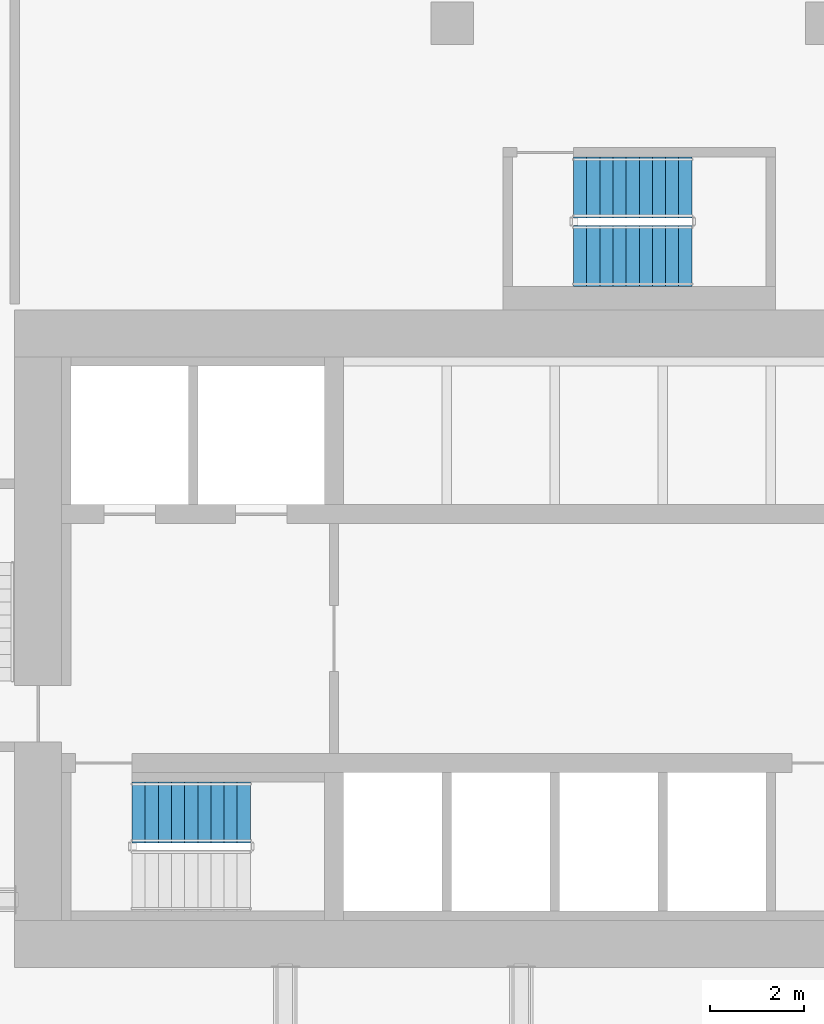
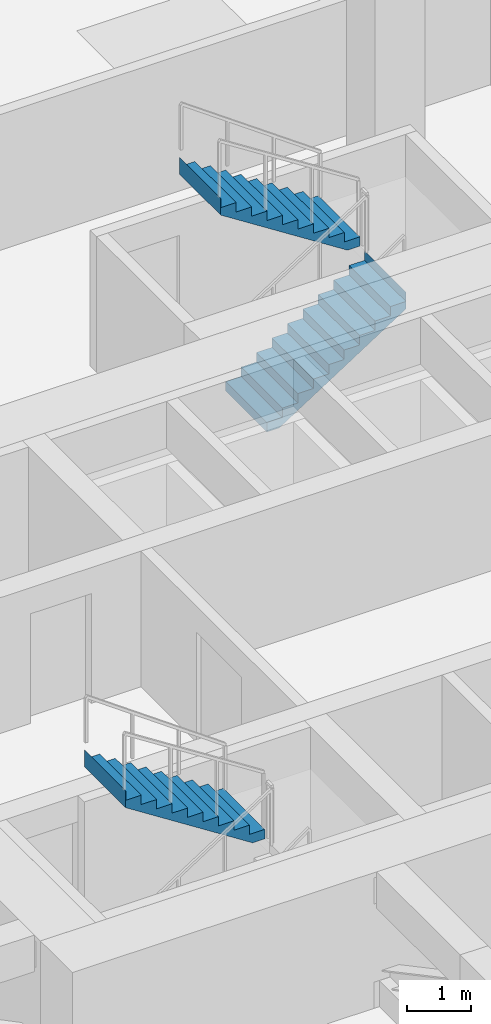
# One storey, part 18 of 23: 3 stair flights, 2 elements without a shape of their own.
"""IFC4 building model written with IfcOpenShell, lengths in metres."""

from ifc_helpers import new_model, si_unit, direction, frame, origin, place, context, subcontext, project, spatial, triangles, material, type_object, element, aggregate, save


model = new_model("IFC4")

# Units and contexts
model_context = context("Model", 3, precision=1e-05, world=origin(), true_north=direction((0.0, 1.0)))
body_context = subcontext(model_context, "Body", "Model", "MODEL_VIEW")
ifc_project = project(units=[si_unit("LENGTHUNIT", "METRE"), si_unit("AREAUNIT", "SQUARE_METRE"), si_unit("VOLUMEUNIT", "CUBIC_METRE"), si_unit("PLANEANGLEUNIT", "RADIAN"), si_unit("MASSUNIT", "GRAM", prefix="KILO")], contexts=[model_context])

# Site, building, storey
site_placement = place(None, origin())
site = spatial("IfcSite", under=ifc_project, at=site_placement, CompositionType="ELEMENT")
building_placement = place(site_placement, origin())
building = spatial("IfcBuilding", under=site, at=building_placement, Name="Beryl Residences", CompositionType="ELEMENT")
storey_placement = place(building_placement, frame((0.0, 0.0, 108.0)))
storey = spatial("IfcBuildingStorey", under=building, at=storey_placement, Name="L33", CompositionType="ELEMENT", Elevation=108.0)

# Stair, stair flight
ifc_material_1 = material(Name="Concrete C40/50", Category="concrete")
stair_type = type_object("IfcStairType", Name="ST1 protected exit stair, half-turn, 1300 mm flights", PredefinedType="HALF_TURN_STAIR", material=ifc_material_1)
stair_1_placement = place(storey_placement, origin())
stair_1 = element("IfcStair", 1, at=stair_1_placement, inside=storey, type_object=stair_type, Name="L33 PROTECTED EXIT STAIR ST-1", PredefinedType="HALF_TURN_STAIR")
ifc_material_2 = material(Name="Concrete C40/50", Category="concrete")
stair_flight_type = type_object("IfcStairFlightType", Name="SF1 stair flight 1300 mm", PredefinedType="STRAIGHT", material=ifc_material_2)
stair_flight_1_placement = place(storey_placement, frame((-8.280029296875, -15.699951171875, 1.800048828125), z_axis=(0.0, 0.0, 1.0), x_axis=(-1.0, 0.0, 0.0)))
stair_flight_1 = element("IfcStairFlight", 2, at=stair_flight_1_placement, type_object=stair_flight_type, Name="ST-1 flight 2", NumberOfRisers=10, NumberOfTreads=9, PredefinedType="STRAIGHT", RiserHeight=0.18, TreadLength=0.28, context=body_context, shape_type="Tessellation", body=[
    triangles([(0.0, -0.64990234375, 0.0), (0.0, -0.324951171875, 0.0), (0.0, 0.0, 0.0), (0.0, 0.324951171875, 0.0), (0.0, 0.64990234375, 0.0), (0.0, -0.64990234375, 0.179931640625), (0.0, -0.324951171875, 0.179931640625), (0.0, 0.0, 0.179931640625), (0.0, 0.324951171875, 0.179931640625), (0.0, 0.64990234375, 0.179931640625), (0.280029296875, -0.64990234375, 0.179931640625), (0.280029296875, -0.324951171875, 0.179931640625), (0.280029296875, 0.0, 0.179931640625), (0.280029296875, 0.324951171875, 0.179931640625), (0.280029296875, 0.64990234375, 0.179931640625), (0.280029296875, -0.64990234375, 0.360107421875), (0.280029296875, -0.324951171875, 0.360107421875), (0.280029296875, 0.0, 0.360107421875), (0.280029296875, 0.324951171875, 0.360107421875), (0.280029296875, 0.64990234375, 0.360107421875), (0.56005859375, -0.64990234375, 0.360107421875), (0.56005859375, -0.324951171875, 0.360107421875), (0.56005859375, 0.0, 0.360107421875), (0.56005859375, 0.324951171875, 0.360107421875), (0.56005859375, 0.64990234375, 0.360107421875), (0.56005859375, -0.64990234375, 0.5400390625), (0.56005859375, -0.324951171875, 0.5400390625), (0.56005859375, 0.0, 0.5400390625), (0.56005859375, 0.324951171875, 0.5400390625), (0.56005859375, 0.64990234375, 0.5400390625), (0.840087890625, -0.64990234375, 0.5400390625), (0.840087890625, -0.324951171875, 0.5400390625), (0.840087890625, 0.0, 0.5400390625), (0.840087890625, 0.324951171875, 0.5400390625), (0.840087890625, 0.64990234375, 0.5400390625), (0.840087890625, -0.64990234375, 0.719970703125), (0.840087890625, -0.324951171875, 0.719970703125), (0.840087890625, 0.0, 0.719970703125), (0.840087890625, 0.324951171875, 0.719970703125), (0.840087890625, 0.64990234375, 0.719970703125), (1.1201171875, -0.64990234375, 0.719970703125), (1.1201171875, -0.324951171875, 0.719970703125), (1.1201171875, 0.0, 0.719970703125), (1.1201171875, 0.324951171875, 0.719970703125), (1.1201171875, 0.64990234375, 0.719970703125), (1.1201171875, -0.64990234375, 0.89990234375), (1.1201171875, -0.324951171875, 0.89990234375), (1.1201171875, 0.0, 0.89990234375), (1.1201171875, 0.324951171875, 0.89990234375), (1.1201171875, 0.64990234375, 0.89990234375), (1.39990234375, -0.64990234375, 0.89990234375), (1.39990234375, -0.324951171875, 0.89990234375), (1.39990234375, 0.0, 0.89990234375), (1.39990234375, 0.324951171875, 0.89990234375), (1.39990234375, 0.64990234375, 0.89990234375), (1.39990234375, -0.64990234375, 1.080078125), (1.39990234375, -0.324951171875, 1.080078125), (1.39990234375, 0.0, 1.080078125), (1.39990234375, 0.324951171875, 1.080078125), (1.39990234375, 0.64990234375, 1.080078125), (1.679931640625, -0.64990234375, 1.080078125), (1.679931640625, -0.324951171875, 1.080078125), (1.679931640625, 0.0, 1.080078125), (1.679931640625, 0.324951171875, 1.080078125), (1.679931640625, 0.64990234375, 1.080078125), (1.679931640625, -0.64990234375, 1.260009765625), (1.679931640625, -0.324951171875, 1.260009765625), (1.679931640625, 0.0, 1.260009765625), (1.679931640625, 0.324951171875, 1.260009765625), (1.679931640625, 0.64990234375, 1.260009765625), (1.9599609375, -0.64990234375, 1.260009765625), (1.9599609375, -0.324951171875, 1.260009765625), (1.9599609375, 0.0, 1.260009765625), (1.9599609375, 0.324951171875, 1.260009765625), (1.9599609375, 0.64990234375, 1.260009765625), (1.9599609375, -0.64990234375, 1.43994140625), (1.9599609375, -0.324951171875, 1.43994140625), (1.9599609375, 0.0, 1.43994140625), (1.9599609375, 0.324951171875, 1.43994140625), (1.9599609375, 0.64990234375, 1.43994140625), (2.239990234375, -0.64990234375, 1.43994140625), (2.239990234375, -0.324951171875, 1.43994140625), (2.239990234375, 0.0, 1.43994140625), (2.239990234375, 0.324951171875, 1.43994140625), (2.239990234375, 0.64990234375, 1.43994140625), (2.239990234375, -0.64990234375, 1.6201171875), (2.239990234375, -0.324951171875, 1.6201171875), (2.239990234375, 0.0, 1.6201171875), (2.239990234375, 0.324951171875, 1.6201171875), (2.239990234375, 0.64990234375, 1.6201171875), (2.52001953125, -0.64990234375, 1.6201171875), (2.52001953125, -0.324951171875, 1.6201171875), (2.52001953125, 0.0, 1.6201171875), (2.52001953125, 0.324951171875, 1.6201171875), (2.52001953125, 0.64990234375, 1.6201171875), (2.52001953125, -0.64990234375, 1.800048828125), (2.52001953125, -0.324951171875, 1.800048828125), (2.52001953125, 0.0, 1.800048828125), (2.52001953125, 0.324951171875, 1.800048828125), (2.52001953125, 0.64990234375, 1.800048828125), (2.52099609375, -0.64990234375, 1.800048828125), (2.52099609375, -0.324951171875, 1.800048828125), (2.52099609375, 0.0, 1.800048828125), (2.52099609375, 0.324951171875, 1.800048828125), (2.52099609375, 0.64990234375, 1.800048828125), (2.52099609375, -0.64990234375, 1.477294921875), (2.52099609375, -0.324951171875, 1.477294921875), (2.52099609375, 0.0, 1.477294921875), (2.52099609375, 0.324951171875, 1.477294921875), (2.52099609375, 0.64990234375, 1.477294921875), (0.22314453125, -0.64990234375, 0.0), (0.22314453125, -0.324951171875, 0.0), (0.22314453125, 0.0, 0.0), (0.22314453125, 0.324951171875, 0.0), (0.22314453125, 0.64990234375, 0.0)], [[1, 6, 7], [1, 7, 2], [2, 7, 8], [2, 8, 3], [3, 8, 9], [3, 9, 4], [4, 9, 10], [4, 10, 5], [6, 11, 12], [6, 12, 7], [7, 12, 13], [7, 13, 8], [8, 13, 14], [8, 14, 9], [9, 14, 15], [9, 15, 10], [11, 16, 17], [11, 17, 12], [12, 17, 18], [12, 18, 13], [13, 18, 19], [13, 19, 14], [14, 19, 20], [14, 20, 15], [16, 21, 22], [16, 22, 17], [17, 22, 23], [17, 23, 18], [18, 23, 24], [18, 24, 19], [19, 24, 25], [19, 25, 20], [21, 26, 27], [21, 27, 22], [22, 27, 28], [22, 28, 23], [23, 28, 29], [23, 29, 24], [24, 29, 30], [24, 30, 25], [26, 31, 32], [26, 32, 27], [27, 32, 33], [27, 33, 28], [28, 33, 34], [28, 34, 29], [29, 34, 35], [29, 35, 30], [31, 36, 37], [31, 37, 32], [32, 37, 38], [32, 38, 33], [33, 38, 39], [33, 39, 34], [34, 39, 40], [34, 40, 35], [36, 41, 42], [36, 42, 37], [37, 42, 43], [37, 43, 38], [38, 43, 44], [38, 44, 39], [39, 44, 45], [39, 45, 40], [41, 46, 47], [41, 47, 42], [42, 47, 48], [42, 48, 43], [43, 48, 49], [43, 49, 44], [44, 49, 50], [44, 50, 45], [46, 51, 52], [46, 52, 47], [47, 52, 53], [47, 53, 48], [48, 53, 54], [48, 54, 49], [49, 54, 55], [49, 55, 50], [51, 56, 57], [51, 57, 52], [52, 57, 58], [52, 58, 53], [53, 58, 59], [53, 59, 54], [54, 59, 60], [54, 60, 55], [56, 61, 62], [56, 62, 57], [57, 62, 63], [57, 63, 58], [58, 63, 64], [58, 64, 59], [59, 64, 65], [59, 65, 60], [61, 66, 67], [61, 67, 62], [62, 67, 68], [62, 68, 63], [63, 68, 69], [63, 69, 64], [64, 69, 70], [64, 70, 65], [66, 71, 72], [66, 72, 67], [67, 72, 73], [67, 73, 68], [68, 73, 74], [68, 74, 69], [69, 74, 75], [69, 75, 70], [71, 76, 77], [71, 77, 72], [72, 77, 78], [72, 78, 73], [73, 78, 79], [73, 79, 74], [74, 79, 80], [74, 80, 75], [76, 81, 82], [76, 82, 77], [77, 82, 83], [77, 83, 78], [78, 83, 84], [78, 84, 79], [79, 84, 85], [79, 85, 80], [81, 86, 87], [81, 87, 82], [82, 87, 88], [82, 88, 83], [83, 88, 89], [83, 89, 84], [84, 89, 90], [84, 90, 85], [86, 91, 92], [86, 92, 87], [87, 92, 93], [87, 93, 88], [88, 93, 94], [88, 94, 89], [89, 94, 95], [89, 95, 90], [91, 96, 97], [91, 97, 92], [92, 97, 98], [92, 98, 93], [93, 98, 99], [93, 99, 94], [94, 99, 100], [94, 100, 95], [96, 101, 102], [96, 102, 97], [97, 102, 103], [97, 103, 98], [98, 103, 104], [98, 104, 99], [99, 104, 105], [99, 105, 100], [101, 106, 107], [101, 107, 102], [102, 107, 108], [102, 108, 103], [103, 108, 109], [103, 109, 104], [104, 109, 110], [104, 110, 105], [106, 111, 112], [106, 112, 107], [107, 112, 113], [107, 113, 108], [108, 113, 114], [108, 114, 109], [109, 114, 115], [109, 115, 110], [111, 1, 2], [111, 2, 112], [112, 2, 3], [112, 3, 113], [113, 3, 4], [113, 4, 114], [114, 4, 5], [114, 5, 115], [1, 111, 106], [5, 110, 115], [106, 101, 96], [110, 100, 105], [106, 96, 91], [110, 95, 100], [106, 91, 86], [110, 90, 95], [106, 86, 81], [110, 85, 90], [81, 76, 71], [85, 75, 80], [106, 81, 71], [110, 75, 85], [71, 66, 61], [75, 65, 70], [106, 71, 61], [110, 65, 75], [61, 56, 51], [65, 55, 60], [106, 61, 51], [110, 55, 65], [51, 46, 41], [55, 45, 50], [106, 51, 41], [110, 45, 55], [41, 36, 31], [45, 35, 40], [106, 41, 31], [110, 35, 45], [31, 26, 21], [35, 25, 30], [106, 31, 21], [110, 25, 35], [21, 16, 11], [25, 15, 20], [106, 21, 11], [110, 15, 25], [1, 106, 11], [5, 15, 110], [11, 6, 1], [15, 5, 10]], closed=True),
])
aggregate(stair_1, [stair_flight_1])

# Stair, stair flights
stair_2_placement = place(storey_placement, origin())
stair_2 = element("IfcStair", 3, at=stair_2_placement, inside=storey, type_object=stair_type, Name="L33 PROTECTED EXIT STAIR ST-4", PredefinedType="HALF_TURN_STAIR")
stair_flight_2_placement = place(storey_placement, frame((-1.39990234375, -3.85009765625, 0.0), z_axis=(0.0, 0.0, 1.0), x_axis=(1.0, 0.0, 0.0)))
stair_flight_2 = element("IfcStairFlight", 4, at=stair_flight_2_placement, type_object=stair_flight_type, Name="ST-4 flight 1", NumberOfRisers=10, NumberOfTreads=9, PredefinedType="STRAIGHT", RiserHeight=0.18, TreadLength=0.28, context=body_context, shape_type="Tessellation", body=[
    triangles([(0.0, -0.64990234375, 0.0), (0.0, -0.324951171875, 0.0), (0.0, 0.0, 0.0), (0.0, 0.324951171875, 0.0), (0.0, 0.64990234375, 0.0), (0.0, -0.64990234375, 0.179931640625), (0.0, -0.324951171875, 0.179931640625), (0.0, 0.0, 0.179931640625), (0.0, 0.324951171875, 0.179931640625), (0.0, 0.64990234375, 0.179931640625), (0.280029296875, -0.64990234375, 0.179931640625), (0.280029296875, -0.324951171875, 0.179931640625), (0.280029296875, 0.0, 0.179931640625), (0.280029296875, 0.324951171875, 0.179931640625), (0.280029296875, 0.64990234375, 0.179931640625), (0.280029296875, -0.64990234375, 0.360107421875), (0.280029296875, -0.324951171875, 0.360107421875), (0.280029296875, 0.0, 0.360107421875), (0.280029296875, 0.324951171875, 0.360107421875), (0.280029296875, 0.64990234375, 0.360107421875), (0.56005859375, -0.64990234375, 0.360107421875), (0.56005859375, -0.324951171875, 0.360107421875), (0.56005859375, 0.0, 0.360107421875), (0.56005859375, 0.324951171875, 0.360107421875), (0.56005859375, 0.64990234375, 0.360107421875), (0.56005859375, -0.64990234375, 0.5400390625), (0.56005859375, -0.324951171875, 0.5400390625), (0.56005859375, 0.0, 0.5400390625), (0.56005859375, 0.324951171875, 0.5400390625), (0.56005859375, 0.64990234375, 0.5400390625), (0.840087890625, -0.64990234375, 0.5400390625), (0.840087890625, -0.324951171875, 0.5400390625), (0.840087890625, 0.0, 0.5400390625), (0.840087890625, 0.324951171875, 0.5400390625), (0.840087890625, 0.64990234375, 0.5400390625), (0.840087890625, -0.64990234375, 0.719970703125), (0.840087890625, -0.324951171875, 0.719970703125), (0.840087890625, 0.0, 0.719970703125), (0.840087890625, 0.324951171875, 0.719970703125), (0.840087890625, 0.64990234375, 0.719970703125), (1.1201171875, -0.64990234375, 0.719970703125), (1.1201171875, -0.324951171875, 0.719970703125), (1.1201171875, 0.0, 0.719970703125), (1.1201171875, 0.324951171875, 0.719970703125), (1.1201171875, 0.64990234375, 0.719970703125), (1.1201171875, -0.64990234375, 0.89990234375), (1.1201171875, -0.324951171875, 0.89990234375), (1.1201171875, 0.0, 0.89990234375), (1.1201171875, 0.324951171875, 0.89990234375), (1.1201171875, 0.64990234375, 0.89990234375), (1.39990234375, -0.64990234375, 0.89990234375), (1.39990234375, -0.324951171875, 0.89990234375), (1.39990234375, 0.0, 0.89990234375), (1.39990234375, 0.324951171875, 0.89990234375), (1.39990234375, 0.64990234375, 0.89990234375), (1.39990234375, -0.64990234375, 1.080078125), (1.39990234375, -0.324951171875, 1.080078125), (1.39990234375, 0.0, 1.080078125), (1.39990234375, 0.324951171875, 1.080078125), (1.39990234375, 0.64990234375, 1.080078125), (1.679931640625, -0.64990234375, 1.080078125), (1.679931640625, -0.324951171875, 1.080078125), (1.679931640625, 0.0, 1.080078125), (1.679931640625, 0.324951171875, 1.080078125), (1.679931640625, 0.64990234375, 1.080078125), (1.679931640625, -0.64990234375, 1.260009765625), (1.679931640625, -0.324951171875, 1.260009765625), (1.679931640625, 0.0, 1.260009765625), (1.679931640625, 0.324951171875, 1.260009765625), (1.679931640625, 0.64990234375, 1.260009765625), (1.9599609375, -0.64990234375, 1.260009765625), (1.9599609375, -0.324951171875, 1.260009765625), (1.9599609375, 0.0, 1.260009765625), (1.9599609375, 0.324951171875, 1.260009765625), (1.9599609375, 0.64990234375, 1.260009765625), (1.9599609375, -0.64990234375, 1.43994140625), (1.9599609375, -0.324951171875, 1.43994140625), (1.9599609375, 0.0, 1.43994140625), (1.9599609375, 0.324951171875, 1.43994140625), (1.9599609375, 0.64990234375, 1.43994140625), (2.239990234375, -0.64990234375, 1.43994140625), (2.239990234375, -0.324951171875, 1.43994140625), (2.239990234375, 0.0, 1.43994140625), (2.239990234375, 0.324951171875, 1.43994140625), (2.239990234375, 0.64990234375, 1.43994140625), (2.239990234375, -0.64990234375, 1.6201171875), (2.239990234375, -0.324951171875, 1.6201171875), (2.239990234375, 0.0, 1.6201171875), (2.239990234375, 0.324951171875, 1.6201171875), (2.239990234375, 0.64990234375, 1.6201171875), (2.52001953125, -0.64990234375, 1.6201171875), (2.52001953125, -0.324951171875, 1.6201171875), (2.52001953125, 0.0, 1.6201171875), (2.52001953125, 0.324951171875, 1.6201171875), (2.52001953125, 0.64990234375, 1.6201171875), (2.52001953125, -0.64990234375, 1.800048828125), (2.52001953125, -0.324951171875, 1.800048828125), (2.52001953125, 0.0, 1.800048828125), (2.52001953125, 0.324951171875, 1.800048828125), (2.52001953125, 0.64990234375, 1.800048828125), (2.52099609375, -0.64990234375, 1.800048828125), (2.52099609375, -0.324951171875, 1.800048828125), (2.52099609375, 0.0, 1.800048828125), (2.52099609375, 0.324951171875, 1.800048828125), (2.52099609375, 0.64990234375, 1.800048828125), (2.52099609375, -0.64990234375, 1.477294921875), (2.52099609375, -0.324951171875, 1.477294921875), (2.52099609375, 0.0, 1.477294921875), (2.52099609375, 0.324951171875, 1.477294921875), (2.52099609375, 0.64990234375, 1.477294921875), (0.22314453125, -0.64990234375, 0.0), (0.22314453125, -0.324951171875, 0.0), (0.22314453125, 0.0, 0.0), (0.22314453125, 0.324951171875, 0.0), (0.22314453125, 0.64990234375, 0.0)], [[1, 6, 7], [1, 7, 2], [2, 7, 8], [2, 8, 3], [3, 8, 9], [3, 9, 4], [4, 9, 10], [4, 10, 5], [6, 11, 12], [6, 12, 7], [7, 12, 13], [7, 13, 8], [8, 13, 14], [8, 14, 9], [9, 14, 15], [9, 15, 10], [11, 16, 17], [11, 17, 12], [12, 17, 18], [12, 18, 13], [13, 18, 19], [13, 19, 14], [14, 19, 20], [14, 20, 15], [16, 21, 22], [16, 22, 17], [17, 22, 23], [17, 23, 18], [18, 23, 24], [18, 24, 19], [19, 24, 25], [19, 25, 20], [21, 26, 27], [21, 27, 22], [22, 27, 28], [22, 28, 23], [23, 28, 29], [23, 29, 24], [24, 29, 30], [24, 30, 25], [26, 31, 32], [26, 32, 27], [27, 32, 33], [27, 33, 28], [28, 33, 34], [28, 34, 29], [29, 34, 35], [29, 35, 30], [31, 36, 37], [31, 37, 32], [32, 37, 38], [32, 38, 33], [33, 38, 39], [33, 39, 34], [34, 39, 40], [34, 40, 35], [36, 41, 42], [36, 42, 37], [37, 42, 43], [37, 43, 38], [38, 43, 44], [38, 44, 39], [39, 44, 45], [39, 45, 40], [41, 46, 47], [41, 47, 42], [42, 47, 48], [42, 48, 43], [43, 48, 49], [43, 49, 44], [44, 49, 50], [44, 50, 45], [46, 51, 52], [46, 52, 47], [47, 52, 53], [47, 53, 48], [48, 53, 54], [48, 54, 49], [49, 54, 55], [49, 55, 50], [51, 56, 57], [51, 57, 52], [52, 57, 58], [52, 58, 53], [53, 58, 59], [53, 59, 54], [54, 59, 60], [54, 60, 55], [56, 61, 62], [56, 62, 57], [57, 62, 63], [57, 63, 58], [58, 63, 64], [58, 64, 59], [59, 64, 65], [59, 65, 60], [61, 66, 67], [61, 67, 62], [62, 67, 68], [62, 68, 63], [63, 68, 69], [63, 69, 64], [64, 69, 70], [64, 70, 65], [66, 71, 72], [66, 72, 67], [67, 72, 73], [67, 73, 68], [68, 73, 74], [68, 74, 69], [69, 74, 75], [69, 75, 70], [71, 76, 77], [71, 77, 72], [72, 77, 78], [72, 78, 73], [73, 78, 79], [73, 79, 74], [74, 79, 80], [74, 80, 75], [76, 81, 82], [76, 82, 77], [77, 82, 83], [77, 83, 78], [78, 83, 84], [78, 84, 79], [79, 84, 85], [79, 85, 80], [81, 86, 87], [81, 87, 82], [82, 87, 88], [82, 88, 83], [83, 88, 89], [83, 89, 84], [84, 89, 90], [84, 90, 85], [86, 91, 92], [86, 92, 87], [87, 92, 93], [87, 93, 88], [88, 93, 94], [88, 94, 89], [89, 94, 95], [89, 95, 90], [91, 96, 97], [91, 97, 92], [92, 97, 98], [92, 98, 93], [93, 98, 99], [93, 99, 94], [94, 99, 100], [94, 100, 95], [96, 101, 102], [96, 102, 97], [97, 102, 103], [97, 103, 98], [98, 103, 104], [98, 104, 99], [99, 104, 105], [99, 105, 100], [101, 106, 107], [101, 107, 102], [102, 107, 108], [102, 108, 103], [103, 108, 109], [103, 109, 104], [104, 109, 110], [104, 110, 105], [106, 111, 112], [106, 112, 107], [107, 112, 113], [107, 113, 108], [108, 113, 114], [108, 114, 109], [109, 114, 115], [109, 115, 110], [111, 1, 2], [111, 2, 112], [112, 2, 3], [112, 3, 113], [113, 3, 4], [113, 4, 114], [114, 4, 5], [114, 5, 115], [1, 111, 106], [5, 110, 115], [106, 101, 96], [110, 100, 105], [106, 96, 91], [110, 95, 100], [106, 91, 86], [110, 90, 95], [106, 86, 81], [110, 85, 90], [81, 76, 71], [85, 75, 80], [106, 81, 71], [110, 75, 85], [71, 66, 61], [75, 65, 70], [106, 71, 61], [110, 65, 75], [61, 56, 51], [65, 55, 60], [106, 61, 51], [110, 55, 65], [51, 46, 41], [55, 45, 50], [106, 51, 41], [110, 45, 55], [41, 36, 31], [45, 35, 40], [106, 41, 31], [110, 35, 45], [31, 26, 21], [35, 25, 30], [106, 31, 21], [110, 25, 35], [21, 16, 11], [25, 15, 20], [106, 21, 11], [110, 15, 25], [1, 106, 11], [5, 15, 110], [11, 6, 1], [15, 5, 10]], closed=True),
])
stair_flight_3_placement = place(storey_placement, frame((1.1201171875, -2.39990234375, 1.800048828125), z_axis=(0.0, 0.0, 1.0), x_axis=(-1.0, 0.0, 0.0)))
stair_flight_3 = element("IfcStairFlight", 5, at=stair_flight_3_placement, type_object=stair_flight_type, Name="ST-4 flight 2", NumberOfRisers=10, NumberOfTreads=9, PredefinedType="STRAIGHT", RiserHeight=0.18, TreadLength=0.28, context=body_context, shape_type="Tessellation", body=[
    triangles([(0.0, -0.64990234375, 0.0), (0.0, -0.324951171875, 0.0), (0.0, 0.0, 0.0), (0.0, 0.324951171875, 0.0), (0.0, 0.64990234375, 0.0), (0.0, -0.64990234375, 0.179931640625), (0.0, -0.324951171875, 0.179931640625), (0.0, 0.0, 0.179931640625), (0.0, 0.324951171875, 0.179931640625), (0.0, 0.64990234375, 0.179931640625), (0.280029296875, -0.64990234375, 0.179931640625), (0.280029296875, -0.324951171875, 0.179931640625), (0.280029296875, 0.0, 0.179931640625), (0.280029296875, 0.324951171875, 0.179931640625), (0.280029296875, 0.64990234375, 0.179931640625), (0.280029296875, -0.64990234375, 0.360107421875), (0.280029296875, -0.324951171875, 0.360107421875), (0.280029296875, 0.0, 0.360107421875), (0.280029296875, 0.324951171875, 0.360107421875), (0.280029296875, 0.64990234375, 0.360107421875), (0.56005859375, -0.64990234375, 0.360107421875), (0.56005859375, -0.324951171875, 0.360107421875), (0.56005859375, 0.0, 0.360107421875), (0.56005859375, 0.324951171875, 0.360107421875), (0.56005859375, 0.64990234375, 0.360107421875), (0.56005859375, -0.64990234375, 0.5400390625), (0.56005859375, -0.324951171875, 0.5400390625), (0.56005859375, 0.0, 0.5400390625), (0.56005859375, 0.324951171875, 0.5400390625), (0.56005859375, 0.64990234375, 0.5400390625), (0.840087890625, -0.64990234375, 0.5400390625), (0.840087890625, -0.324951171875, 0.5400390625), (0.840087890625, 0.0, 0.5400390625), (0.840087890625, 0.324951171875, 0.5400390625), (0.840087890625, 0.64990234375, 0.5400390625), (0.840087890625, -0.64990234375, 0.719970703125), (0.840087890625, -0.324951171875, 0.719970703125), (0.840087890625, 0.0, 0.719970703125), (0.840087890625, 0.324951171875, 0.719970703125), (0.840087890625, 0.64990234375, 0.719970703125), (1.1201171875, -0.64990234375, 0.719970703125), (1.1201171875, -0.324951171875, 0.719970703125), (1.1201171875, 0.0, 0.719970703125), (1.1201171875, 0.324951171875, 0.719970703125), (1.1201171875, 0.64990234375, 0.719970703125), (1.1201171875, -0.64990234375, 0.89990234375), (1.1201171875, -0.324951171875, 0.89990234375), (1.1201171875, 0.0, 0.89990234375), (1.1201171875, 0.324951171875, 0.89990234375), (1.1201171875, 0.64990234375, 0.89990234375), (1.39990234375, -0.64990234375, 0.89990234375), (1.39990234375, -0.324951171875, 0.89990234375), (1.39990234375, 0.0, 0.89990234375), (1.39990234375, 0.324951171875, 0.89990234375), (1.39990234375, 0.64990234375, 0.89990234375), (1.39990234375, -0.64990234375, 1.080078125), (1.39990234375, -0.324951171875, 1.080078125), (1.39990234375, 0.0, 1.080078125), (1.39990234375, 0.324951171875, 1.080078125), (1.39990234375, 0.64990234375, 1.080078125), (1.679931640625, -0.64990234375, 1.080078125), (1.679931640625, -0.324951171875, 1.080078125), (1.679931640625, 0.0, 1.080078125), (1.679931640625, 0.324951171875, 1.080078125), (1.679931640625, 0.64990234375, 1.080078125), (1.679931640625, -0.64990234375, 1.260009765625), (1.679931640625, -0.324951171875, 1.260009765625), (1.679931640625, 0.0, 1.260009765625), (1.679931640625, 0.324951171875, 1.260009765625), (1.679931640625, 0.64990234375, 1.260009765625), (1.9599609375, -0.64990234375, 1.260009765625), (1.9599609375, -0.324951171875, 1.260009765625), (1.9599609375, 0.0, 1.260009765625), (1.9599609375, 0.324951171875, 1.260009765625), (1.9599609375, 0.64990234375, 1.260009765625), (1.9599609375, -0.64990234375, 1.43994140625), (1.9599609375, -0.324951171875, 1.43994140625), (1.9599609375, 0.0, 1.43994140625), (1.9599609375, 0.324951171875, 1.43994140625), (1.9599609375, 0.64990234375, 1.43994140625), (2.239990234375, -0.64990234375, 1.43994140625), (2.239990234375, -0.324951171875, 1.43994140625), (2.239990234375, 0.0, 1.43994140625), (2.239990234375, 0.324951171875, 1.43994140625), (2.239990234375, 0.64990234375, 1.43994140625), (2.239990234375, -0.64990234375, 1.6201171875), (2.239990234375, -0.324951171875, 1.6201171875), (2.239990234375, 0.0, 1.6201171875), (2.239990234375, 0.324951171875, 1.6201171875), (2.239990234375, 0.64990234375, 1.6201171875), (2.52001953125, -0.64990234375, 1.6201171875), (2.52001953125, -0.324951171875, 1.6201171875), (2.52001953125, 0.0, 1.6201171875), (2.52001953125, 0.324951171875, 1.6201171875), (2.52001953125, 0.64990234375, 1.6201171875), (2.52001953125, -0.64990234375, 1.800048828125), (2.52001953125, -0.324951171875, 1.800048828125), (2.52001953125, 0.0, 1.800048828125), (2.52001953125, 0.324951171875, 1.800048828125), (2.52001953125, 0.64990234375, 1.800048828125), (2.52099609375, -0.64990234375, 1.800048828125), (2.52099609375, -0.324951171875, 1.800048828125), (2.52099609375, 0.0, 1.800048828125), (2.52099609375, 0.324951171875, 1.800048828125), (2.52099609375, 0.64990234375, 1.800048828125), (2.52099609375, -0.64990234375, 1.477294921875), (2.52099609375, -0.324951171875, 1.477294921875), (2.52099609375, 0.0, 1.477294921875), (2.52099609375, 0.324951171875, 1.477294921875), (2.52099609375, 0.64990234375, 1.477294921875), (0.22314453125, -0.64990234375, 0.0), (0.22314453125, -0.324951171875, 0.0), (0.22314453125, 0.0, 0.0), (0.22314453125, 0.324951171875, 0.0), (0.22314453125, 0.64990234375, 0.0)], [[1, 6, 7], [1, 7, 2], [2, 7, 8], [2, 8, 3], [3, 8, 9], [3, 9, 4], [4, 9, 10], [4, 10, 5], [6, 11, 12], [6, 12, 7], [7, 12, 13], [7, 13, 8], [8, 13, 14], [8, 14, 9], [9, 14, 15], [9, 15, 10], [11, 16, 17], [11, 17, 12], [12, 17, 18], [12, 18, 13], [13, 18, 19], [13, 19, 14], [14, 19, 20], [14, 20, 15], [16, 21, 22], [16, 22, 17], [17, 22, 23], [17, 23, 18], [18, 23, 24], [18, 24, 19], [19, 24, 25], [19, 25, 20], [21, 26, 27], [21, 27, 22], [22, 27, 28], [22, 28, 23], [23, 28, 29], [23, 29, 24], [24, 29, 30], [24, 30, 25], [26, 31, 32], [26, 32, 27], [27, 32, 33], [27, 33, 28], [28, 33, 34], [28, 34, 29], [29, 34, 35], [29, 35, 30], [31, 36, 37], [31, 37, 32], [32, 37, 38], [32, 38, 33], [33, 38, 39], [33, 39, 34], [34, 39, 40], [34, 40, 35], [36, 41, 42], [36, 42, 37], [37, 42, 43], [37, 43, 38], [38, 43, 44], [38, 44, 39], [39, 44, 45], [39, 45, 40], [41, 46, 47], [41, 47, 42], [42, 47, 48], [42, 48, 43], [43, 48, 49], [43, 49, 44], [44, 49, 50], [44, 50, 45], [46, 51, 52], [46, 52, 47], [47, 52, 53], [47, 53, 48], [48, 53, 54], [48, 54, 49], [49, 54, 55], [49, 55, 50], [51, 56, 57], [51, 57, 52], [52, 57, 58], [52, 58, 53], [53, 58, 59], [53, 59, 54], [54, 59, 60], [54, 60, 55], [56, 61, 62], [56, 62, 57], [57, 62, 63], [57, 63, 58], [58, 63, 64], [58, 64, 59], [59, 64, 65], [59, 65, 60], [61, 66, 67], [61, 67, 62], [62, 67, 68], [62, 68, 63], [63, 68, 69], [63, 69, 64], [64, 69, 70], [64, 70, 65], [66, 71, 72], [66, 72, 67], [67, 72, 73], [67, 73, 68], [68, 73, 74], [68, 74, 69], [69, 74, 75], [69, 75, 70], [71, 76, 77], [71, 77, 72], [72, 77, 78], [72, 78, 73], [73, 78, 79], [73, 79, 74], [74, 79, 80], [74, 80, 75], [76, 81, 82], [76, 82, 77], [77, 82, 83], [77, 83, 78], [78, 83, 84], [78, 84, 79], [79, 84, 85], [79, 85, 80], [81, 86, 87], [81, 87, 82], [82, 87, 88], [82, 88, 83], [83, 88, 89], [83, 89, 84], [84, 89, 90], [84, 90, 85], [86, 91, 92], [86, 92, 87], [87, 92, 93], [87, 93, 88], [88, 93, 94], [88, 94, 89], [89, 94, 95], [89, 95, 90], [91, 96, 97], [91, 97, 92], [92, 97, 98], [92, 98, 93], [93, 98, 99], [93, 99, 94], [94, 99, 100], [94, 100, 95], [96, 101, 102], [96, 102, 97], [97, 102, 103], [97, 103, 98], [98, 103, 104], [98, 104, 99], [99, 104, 105], [99, 105, 100], [101, 106, 107], [101, 107, 102], [102, 107, 108], [102, 108, 103], [103, 108, 109], [103, 109, 104], [104, 109, 110], [104, 110, 105], [106, 111, 112], [106, 112, 107], [107, 112, 113], [107, 113, 108], [108, 113, 114], [108, 114, 109], [109, 114, 115], [109, 115, 110], [111, 1, 2], [111, 2, 112], [112, 2, 3], [112, 3, 113], [113, 3, 4], [113, 4, 114], [114, 4, 5], [114, 5, 115], [1, 111, 106], [5, 110, 115], [106, 101, 96], [110, 100, 105], [106, 96, 91], [110, 95, 100], [106, 91, 86], [110, 90, 95], [106, 86, 81], [110, 85, 90], [81, 76, 71], [85, 75, 80], [106, 81, 71], [110, 75, 85], [71, 66, 61], [75, 65, 70], [106, 71, 61], [110, 65, 75], [61, 56, 51], [65, 55, 60], [106, 61, 51], [110, 55, 65], [51, 46, 41], [55, 45, 50], [106, 51, 41], [110, 45, 55], [41, 36, 31], [45, 35, 40], [106, 41, 31], [110, 35, 45], [31, 26, 21], [35, 25, 30], [106, 31, 21], [110, 25, 35], [21, 16, 11], [25, 15, 20], [106, 21, 11], [110, 15, 25], [1, 106, 11], [5, 15, 110], [11, 6, 1], [15, 5, 10]], closed=True),
])
aggregate(stair_2, [stair_flight_2, stair_flight_3])

save(model, "model.ifc")
